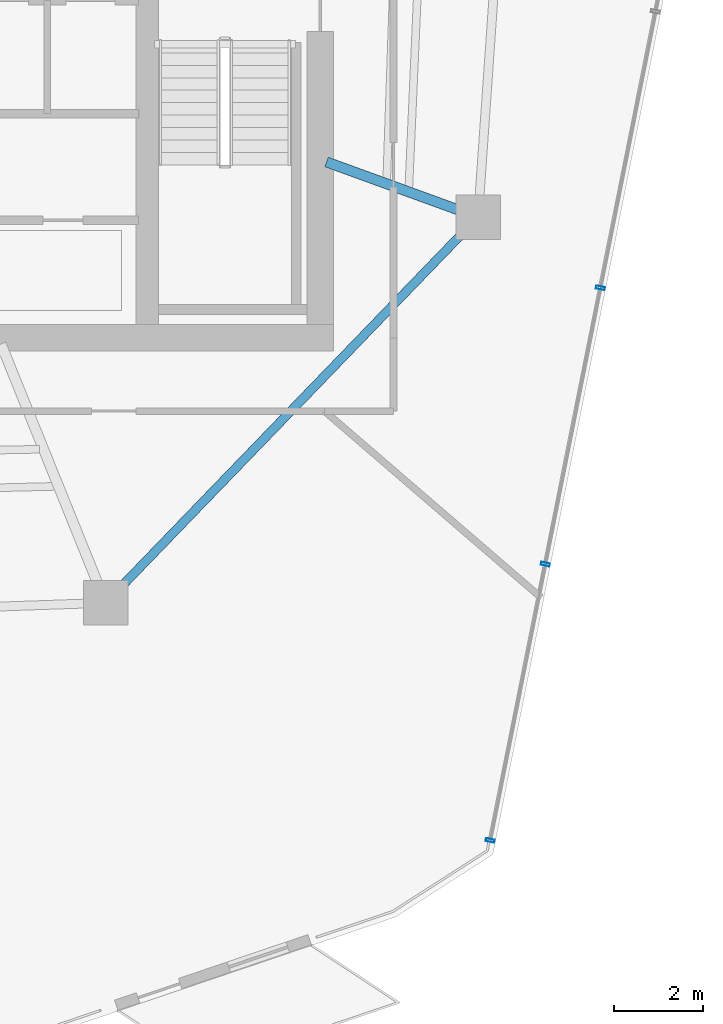
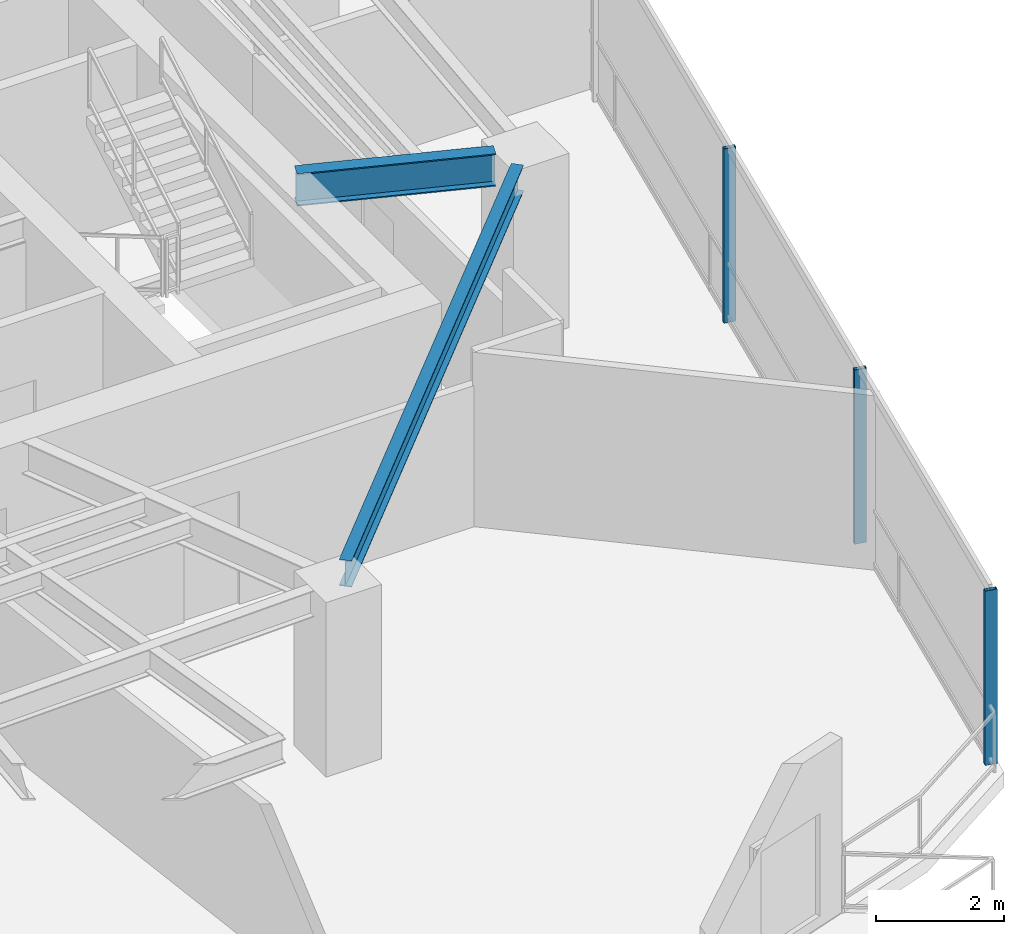
# One storey, part 8 of 20: 3 members, 2 beams, 1 element without a shape of its own.
"""IFC4 building model written with IfcOpenShell, lengths in metres."""

import ifcopenshell
import ifcopenshell.guid

model = None  # the IFC model being written
_history = None  # IfcOwnerHistory: only IFC2X3 demands one
_inside = {}  # id of a spatial element -> (the spatial element, [elements in it])
_under = {}  # id of a project, library or spatial element -> (it, [spatial elements below it])
_declared = {}  # id of a project -> (the project, [libraries it declares])
_typed = {}  # id of a type object -> (the type object, [elements of that type])
_made_of = {}  # id of a material, layer set ... -> (it, [elements and type objects made of it])


def new_model(schema):
    """Start an empty IFC model of exactly this schema.

    Asked for "IFC4X3", IfcOpenShell would pick the latest addendum, in which some entities
    have other attributes; the version numbers below select the first issue.
    IFC2X3 requires an IfcOwnerHistory on every rooted entity: one is made here for all.
    """
    global model, _history
    if schema == "IFC4X3":
        model = ifcopenshell.file(schema_version=(4, 3, 0, 0))
    else:
        model = ifcopenshell.file(schema=schema)
    _inside.clear()
    _under.clear()
    _declared.clear()
    _typed.clear()
    _made_of.clear()
    _history = None
    if model.schema == "IFC2X3":
        org = make("IfcOrganization", Name="unknown")
        user = make(
            "IfcPersonAndOrganization",
            ThePerson=make("IfcPerson", FamilyName="unknown"),
            TheOrganization=org,
        )
        app = make(
            "IfcApplication",
            ApplicationDeveloper=org,
            Version="unknown",
            ApplicationFullName="unknown",
            ApplicationIdentifier="unknown",
        )
        _history = make(
            "IfcOwnerHistory",
            OwningUser=user,
            OwningApplication=app,
            ChangeAction="ADDED",
            CreationDate=0,
        )
    return model


def make(cls, **values):
    """One entity of the class cls with the attributes given. An attribute that is None is left unset."""
    return model.create_entity(
        cls, **{name: value for name, value in values.items() if value is not None}
    )


def rooted(cls, **values):
    """An entity with a GlobalId (a new one), such as an element, a storey or a relation."""
    return make(cls, GlobalId=ifcopenshell.guid.new(), OwnerHistory=_history, **values)


def si_unit(unit_type, name, prefix=None):
    """IfcSIUnit, for example si_unit("LENGTHUNIT", "METRE", prefix="MILLI")."""
    return make("IfcSIUnit", UnitType=unit_type, Prefix=prefix, Name=name)


def assignment(units):
    """IfcUnitAssignment: the units of a project."""
    return None if units is None else make("IfcUnitAssignment", Units=units)


def point(xyz):
    """IfcCartesianPoint."""
    return None if xyz is None else make("IfcCartesianPoint", Coordinates=xyz)


def direction(xyz):
    """IfcDirection."""
    return None if xyz is None else make("IfcDirection", DirectionRatios=xyz)


def frame(location, z_axis=None, x_axis=None):
    """IfcAxis2Placement3D, a coordinate frame: its origin and axes. An axis left out is left unset."""
    return make(
        "IfcAxis2Placement3D",
        Location=point(location),
        Axis=direction(z_axis),
        RefDirection=direction(x_axis),
    )


def frame_2d(location, x_axis=None):
    """IfcAxis2Placement2D, a coordinate frame in the plane: its origin and x axis."""
    return make(
        "IfcAxis2Placement2D", Location=point(location), RefDirection=direction(x_axis)
    )


def origin():
    """The frame at (0, 0, 0) with its axes left unset."""
    return frame((0.0, 0.0, 0.0))


def origin_2d():
    """The frame at (0, 0) in the plane with its x axis left unset."""
    return frame_2d((0.0, 0.0))


def place(relative_to, where):
    """IfcLocalPlacement: puts the frame where relative to a parent placement (None: the world)."""
    return make(
        "IfcLocalPlacement", PlacementRelTo=relative_to, RelativePlacement=where
    )


def context(
    kind, dimensions, precision=None, world=None, true_north=None, identifier=None
):
    """IfcGeometricRepresentationContext, for example the 3D "Model" context."""
    return make(
        "IfcGeometricRepresentationContext",
        ContextIdentifier=identifier,
        ContextType=kind,
        CoordinateSpaceDimension=dimensions,
        Precision=precision,
        WorldCoordinateSystem=world,
        TrueNorth=true_north,
    )


def subcontext(parent, identifier, kind, view, scale=None):
    """IfcGeometricRepresentationSubContext, for example "Body" below "Model"."""
    return make(
        "IfcGeometricRepresentationSubContext",
        ContextIdentifier=identifier,
        ContextType=kind,
        ParentContext=parent,
        TargetScale=scale,
        TargetView=view,
    )


def project(units=None, contexts=None):
    """IfcProject with its units and contexts."""
    return rooted(
        "IfcProject",
        Name="project",
        RepresentationContexts=contexts,
        UnitsInContext=assignment(units),
    )


def spatial(cls, under=None, at=None, **own):
    """A site, building, storey or space (cls), placed at a placement, below another one or the project."""
    s = rooted(cls, ObjectPlacement=at, **own)
    if under is not None:
        _under.setdefault(under.id(), (under, []))[1].append(s)
    return s


def profile(cls, at=None, kind="AREA", **sizes):
    """A parametric profile (cls). Its sizes go by their IFC names, for example OverallWidth=200.0."""
    return make(cls, ProfileType=kind, Position=at, **sizes)


def hollow_rectangle(**sizes):
    """IfcRectangleHollowProfileDef."""
    return profile("IfcRectangleHollowProfileDef", **sizes)


def i_section(**sizes):
    """IfcIShapeProfileDef."""
    return profile("IfcIShapeProfileDef", **sizes)


def extrude(swept, where, along, depth):
    """IfcExtrudedAreaSolid: the profile swept, set in the frame where, extruded along a direction by depth."""
    return make(
        "IfcExtrudedAreaSolid",
        SweptArea=swept,
        Position=where,
        ExtrudedDirection=direction(along),
        Depth=depth,
    )


def shape(context_of_items, identifier, shape_type, items):
    """IfcShapeRepresentation: the items that make up one representation, for example the "Body"."""
    return make(
        "IfcShapeRepresentation",
        ContextOfItems=context_of_items,
        RepresentationIdentifier=identifier,
        RepresentationType=shape_type,
        Items=items,
    )


def material(Name=None, Category=None):
    """IfcMaterial."""
    return make("IfcMaterial", Name=Name, Category=Category)


def layer(
    of_material, thickness, ventilated=None, Name=None, Category=None, Priority=None
):
    """IfcMaterialLayer: one layer of a wall or slab, of a material (None: an air gap)."""
    return make(
        "IfcMaterialLayer",
        Material=of_material,
        LayerThickness=thickness,
        IsVentilated=ventilated,
        Name=Name,
        Category=Category,
        Priority=Priority,
    )


def layer_set(layers, Name=None):
    """IfcMaterialLayerSet."""
    return make("IfcMaterialLayerSet", MaterialLayers=layers, LayerSetName=Name)


def material_profile(
    of_material, cross_section, Name=None, Category=None, Priority=None
):
    """IfcMaterialProfile: a cross section and its material."""
    return make(
        "IfcMaterialProfile",
        Name=Name,
        Material=of_material,
        Profile=cross_section,
        Priority=Priority,
        Category=Category,
    )


def profile_set(profiles, Name=None, composite=None):
    """IfcMaterialProfileSet."""
    return make(
        "IfcMaterialProfileSet",
        Name=Name,
        MaterialProfiles=profiles,
        CompositeProfile=composite,
    )


def made_of(thing, what):
    """Note that an element or type object is made of a material, layer set ...; save() writes the relation."""
    if what is not None:
        _made_of.setdefault(what.id(), (what, []))[1].append(thing)
    return thing


def type_object(cls, material=None, **own):
    """A type object (cls), such as IfcWallType, which elements share."""
    return made_of(rooted(cls, **own), material)


def element(
    cls,
    number,
    at=None,
    inside=None,
    cuts=None,
    type_object=None,
    material=None,
    context=None,
    identifier="Body",
    shape_type=None,
    held_by="IfcProductDefinitionShape",
    body=None,
    shapes=None,
    **own,
):
    """One element of the class cls, such as IfcWall. Its Tag is "e" and its number.

    at: its placement. inside: the storey or other place that contains it. cuts: it is an
    opening in that element (IfcRelVoidsElement). A single representation is given by context,
    identifier, shape_type and body (its items); several are given by shapes. held_by: the class
    of the entity that holds the representations. save() writes the other relations.
    """
    e = rooted(cls, Tag="e%d" % number, ObjectPlacement=at, **own)
    if body is not None:
        shapes = [shape(context, identifier, shape_type, body)]
    if shapes is not None:
        e.Representation = make(held_by, Representations=shapes)
    if inside is not None:
        _inside.setdefault(inside.id(), (inside, []))[1].append(e)
    if cuts is not None:
        rooted(
            "IfcRelVoidsElement", RelatingBuildingElement=cuts, RelatedOpeningElement=e
        )
    if type_object is not None:
        _typed.setdefault(type_object.id(), (type_object, []))[1].append(e)
    return made_of(e, material)


def aggregate(whole, parts):
    """IfcRelAggregates: a whole, such as a stair, and the parts it consists of."""
    return rooted("IfcRelAggregates", RelatingObject=whole, RelatedObjects=parts)


def save(model, path):
    """Write the relations noted so far, then the file.

    IfcRelAggregates (storeys below a building ...), IfcRelContainedInSpatialStructure (elements
    in a storey), IfcRelDefinesByType, IfcRelAssociatesMaterial and IfcRelDeclares: one each for
    every whole, place, type object, material and project.
    """
    for whole, parts in _under.values():
        aggregate(whole, parts)
    for where, things in _inside.values():
        rooted(
            "IfcRelContainedInSpatialStructure",
            RelatedElements=things,
            RelatingStructure=where,
        )
    for kind, things in _typed.values():
        rooted("IfcRelDefinesByType", RelatedObjects=things, RelatingType=kind)
    for what, things in _made_of.values():
        rooted("IfcRelAssociatesMaterial", RelatedObjects=things, RelatingMaterial=what)
    for by, libraries in _declared.values():
        rooted("IfcRelDeclares", RelatingContext=by, RelatedDefinitions=libraries)
    model.write(path)


model = new_model("IFC4")

# Units and contexts
model_context = context("Model", 3, precision=1e-05, world=origin(), true_north=direction((0.0, 1.0)))
body_context = subcontext(model_context, "Body", "Model", "MODEL_VIEW")
ifc_project = project(units=[si_unit("LENGTHUNIT", "METRE"), si_unit("AREAUNIT", "SQUARE_METRE"), si_unit("VOLUMEUNIT", "CUBIC_METRE"), si_unit("PLANEANGLEUNIT", "RADIAN"), si_unit("MASSUNIT", "GRAM", prefix="KILO")], contexts=[model_context])

# Site, building, storey
site_placement = place(None, origin())
site = spatial("IfcSite", under=ifc_project, at=site_placement, CompositionType="ELEMENT")
building_placement = place(site_placement, origin())
building = spatial("IfcBuilding", under=site, at=building_placement, Name="Qarnah Convention Tower", CompositionType="ELEMENT")
storey_placement = place(building_placement, frame((0.0, 0.0, 136.5)))
storey = spatial("IfcBuildingStorey", under=building, at=storey_placement, Name="L36", CompositionType="ELEMENT", Elevation=136.5)

# Beams
ifc_material_1 = material(Name="Structural steel S355JR", Category="steel")
ifc_material_profile_1 = material_profile(ifc_material_1, i_section(OverallWidth=0.22998046875, OverallDepth=0.617919921875, WebThickness=0.012939453125, FlangeThickness=0.02197265625, at=origin_2d()), Name="W610X140")
ifc_profile_set_1 = profile_set([ifc_material_profile_1], Name="Structural steel S355JR")
beam_type_1 = type_object("IfcBeamType", Name="BM-RAD-W610A", PredefinedType="BEAM", material=ifc_profile_set_1)
beam_1_placement = place(storey_placement, frame((47.740966796875, 22.56396484375, 3.010986328125), z_axis=(0.939610124669, -0.342246714549, 0.0), x_axis=(0.342246714549, 0.939610124669, 0.0)))
element("IfcBeam", 1, at=beam_1_placement, inside=storey, type_object=beam_type_1, Name="L36 beam BM-L36-RAD-09", PredefinedType="BEAM", context=body_context, shape_type="SweptSolid", body=[
    extrude(i_section(OverallWidth=0.22998046875, OverallDepth=0.617919921875, WebThickness=0.012939453125, FlangeThickness=0.02197265625, at=origin_2d()), origin(), (0.0, 0.0, 1.0), 3.15234375),
])
ifc_material_profile_2 = material_profile(ifc_material_1, i_section(OverallWidth=0.199951171875, OverallDepth=0.5, WebThickness=0.010009765625, FlangeThickness=0.01611328125, at=origin_2d()), Name="IPE500")
ifc_profile_set_2 = profile_set([ifc_material_profile_2], Name="Structural steel S355JR")
beam_type_2 = type_object("IfcBeamType", Name="BM-SPN-IPE500", PredefinedType="SPANDREL", material=ifc_profile_set_2)
beam_2_placement = place(storey_placement, frame((43.10302734375, 12.98291015625, 3.070068359375), z_axis=(0.694605503013, 0.719390850084, 0.0), x_axis=(-0.719390850084, 0.694605503013, 0.0)))
element("IfcBeam", 2, at=beam_2_placement, inside=storey, type_object=beam_type_2, Name="L36 spandrel BM-L36-SPN-08", PredefinedType="SPANDREL", context=body_context, shape_type="SweptSolid", body=[
    extrude(i_section(OverallWidth=0.199951171875, OverallDepth=0.5, WebThickness=0.010009765625, FlangeThickness=0.01611328125, at=origin_2d()), origin(), (0.0, 0.0, 1.0), 11.10107421875),
])

# Curtain wall, members
ifc_material_2 = material(Name="Tempered Low-E dark glass", Category="glass")
ifc_layer = layer(ifc_material_2, 0.172119140625)
ifc_layer_set = layer_set([ifc_layer], Name="Tempered Low-E dark glass")
curtain_wall_type = type_object("IfcCurtainWallType", Name="CWS-03", PredefinedType="NOTDEFINED", material=ifc_layer_set)
curtain_wall_placement = place(storey_placement, origin())
curtain_wall = element("IfcCurtainWall", 3, at=curtain_wall_placement, inside=storey, type_object=curtain_wall_type, Name="L36 unitised curtain wall CW-L36-F1", PredefinedType="NOTDEFINED")
ifc_material_3 = material(Name="Black anodised aluminium", Category="aluminium")
ifc_material_profile_3 = material_profile(ifc_material_3, hollow_rectangle(XDim=0.070068359375, YDim=0.199951171875, WallThickness=0.0048828125, at=origin_2d()), Name="MUL-70X200")
ifc_profile_set_3 = profile_set([ifc_material_profile_3], Name="Black anodised aluminium")
member_type = type_object("IfcMemberType", Name="MUL-T3", PredefinedType="MULLION", material=ifc_profile_set_3)
member_1_placement = place(storey_placement, frame((53.91015625, 19.726318359375, 0.0), z_axis=(0.0, 0.0, 1.0), x_axis=(-0.195625245476, -0.980678725849, 0.0)))
member_1 = element("IfcMember", 4, at=member_1_placement, type_object=member_type, Name="CW-L36-F1 mullion 4", PredefinedType="MULLION", context=body_context, shape_type="SweptSolid", body=[
    extrude(hollow_rectangle(XDim=0.070068359375, YDim=0.199951171875, WallThickness=0.0048828125, at=origin_2d()), origin(), (0.0, 0.0, 1.0), 3.320068359375),
])
member_2_placement = place(storey_placement, frame((52.668701171875, 13.502197265625, 0.0), z_axis=(0.0, 0.0, 1.0), x_axis=(-0.195625245476, -0.980678725849, 0.0)))
member_2 = element("IfcMember", 5, at=member_2_placement, type_object=member_type, Name="CW-L36-F1 mullion 5", PredefinedType="MULLION", context=body_context, shape_type="SweptSolid", body=[
    extrude(hollow_rectangle(XDim=0.070068359375, YDim=0.199951171875, WallThickness=0.0048828125, at=origin_2d()), origin(), (0.0, 0.0, 1.0), 3.320068359375),
])
member_3_placement = place(storey_placement, frame((51.427001953125, 7.278076171875, 0.0), z_axis=(0.0, 0.0, 1.0), x_axis=(-0.195625245476, -0.980678725849, 0.0)))
member_3 = element("IfcMember", 6, at=member_3_placement, type_object=member_type, Name="CW-L36-F1 mullion 6", PredefinedType="MULLION", context=body_context, shape_type="SweptSolid", body=[
    extrude(hollow_rectangle(XDim=0.070068359375, YDim=0.199951171875, WallThickness=0.0048828125, at=origin_2d()), origin(), (0.0, 0.0, 1.0), 3.320068359375),
])
aggregate(curtain_wall, [member_1, member_2, member_3])

save(model, "model.ifc")
